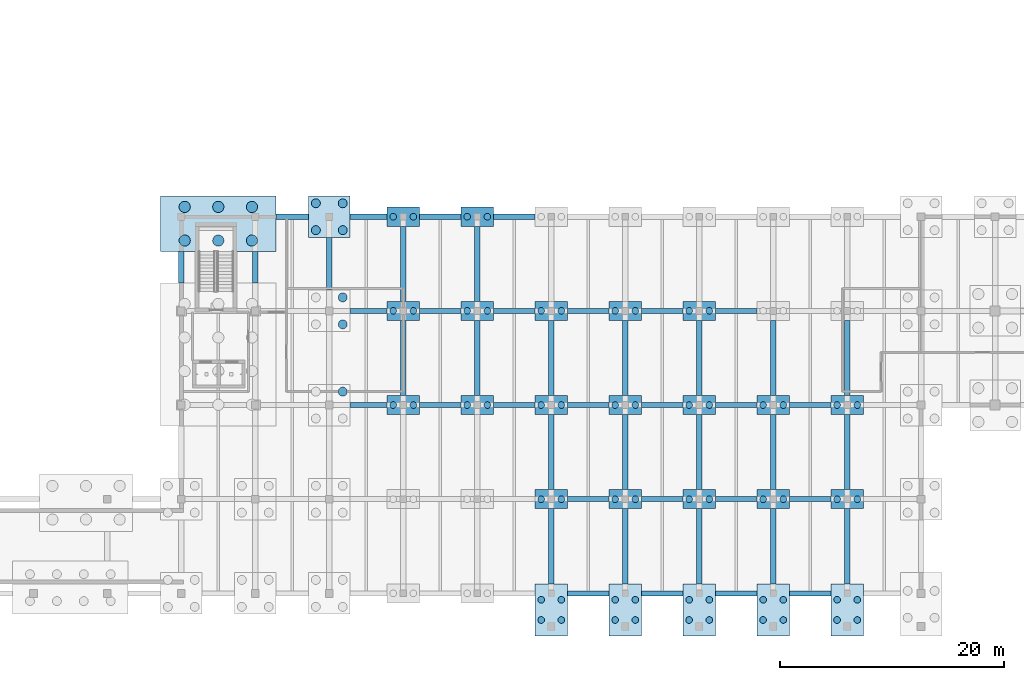
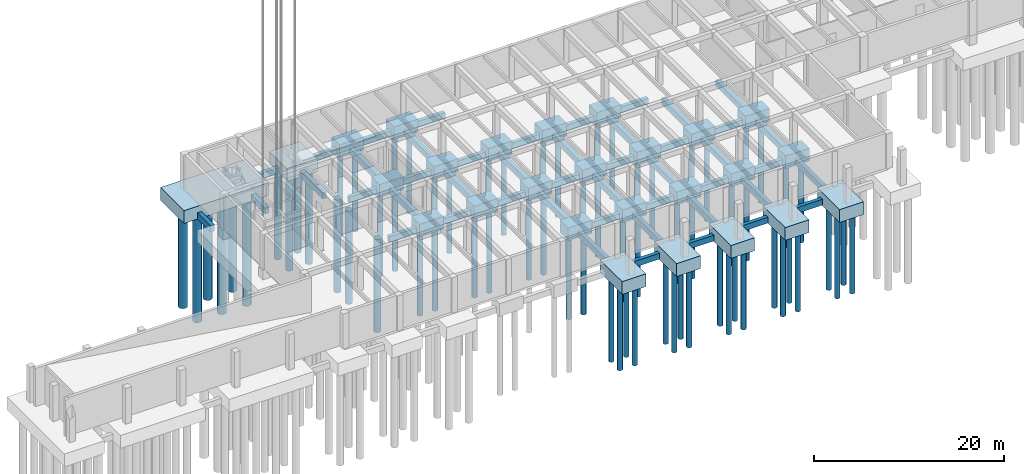
# One storey, part 2 of 44: 73 footings, 71 piles.
"""IFC4 building model written with IfcOpenShell, lengths in metres."""

from ifc_helpers import new_model, si_unit, direction, frame, origin, origin_2d, place, context, subcontext, project, spatial, rectangle, circle, extrude, material, material_profile, profile_set, type_object, element, save


model = new_model("IFC4")

# Units and contexts
model_context = context("Model", 3, precision=1e-05, world=origin(), true_north=direction((0.0, 1.0)))
body_context = subcontext(model_context, "Body", "Model", "MODEL_VIEW")
ifc_project = project(units=[si_unit("LENGTHUNIT", "METRE"), si_unit("AREAUNIT", "SQUARE_METRE"), si_unit("VOLUMEUNIT", "CUBIC_METRE"), si_unit("PLANEANGLEUNIT", "RADIAN"), si_unit("MASSUNIT", "GRAM", prefix="KILO")], contexts=[model_context])

# Site, building, storey
site_placement = place(None, origin())
site = spatial("IfcSite", under=ifc_project, at=site_placement, CompositionType="ELEMENT")
building_placement = place(site_placement, origin())
building = spatial("IfcBuilding", under=site, at=building_placement, Name="Kolvaren Faculty of Natural Sciences", CompositionType="ELEMENT")
storey_placement = place(building_placement, frame((0.0, 0.0, -4.5)))
storey = spatial("IfcBuildingStorey", under=building, at=storey_placement, Name="B01", CompositionType="ELEMENT", Elevation=-4.5)

# Piles
ifc_material = material(Name="Concrete C35/45", Category="concrete")
ifc_material_profile_1 = material_profile(ifc_material, circle(Radius=0.5, at=origin_2d()), Name="PILE D1000")
ifc_profile_set_1 = profile_set([ifc_material_profile_1], Name="Concrete C35/45")
pile_type_1 = type_object("IfcPileType", Name="BoredPile_1000", PredefinedType="BORED", material=ifc_profile_set_1)
for number, where, z_axis, x_axis, name in (
    (1, (33.5, 40.074951171875, -1.949951171875), (0.0, 0.0, -1.0), (1.0, 0.0, 0.0), "Rock-socketed bored pile BP-1000 under CAP-009"),
    (2, (33.5, 43.074951171875, -1.949951171875), (0.0, 0.0, -1.0), (1.0, 0.0, 0.0), "Rock-socketed bored pile BP-1000 under CAP-009"),
    (3, (36.5, 40.074951171875, -1.949951171875), (0.0, 0.0, -1.0), (1.0, 0.0, 0.0), "Rock-socketed bored pile BP-1000 under CAP-009"),
    (4, (36.5, 43.074951171875, -1.949951171875), (0.0, 0.0, -1.0), (1.0, 0.0, 0.0), "Rock-socketed bored pile BP-1000 under CAP-009"),
    (5, (39.5, 40.074951171875, -1.949951171875), (0.0, 0.0, -1.0), (1.0, 0.0, 0.0), "Rock-socketed bored pile BP-1000 under CAP-009"),
    (6, (39.5, 43.074951171875, -1.949951171875), (0.0, 0.0, -1.0), (1.0, 0.0, 0.0), "Rock-socketed bored pile BP-1000 under CAP-009"),
):
    element("IfcPile", number, at=place(storey_placement, frame(where, z_axis=z_axis, x_axis=x_axis)), inside=storey, type_object=pile_type_1, Name=name, PredefinedType="BORED", context=body_context, shape_type="SweptSolid", body=[
        extrude(circle(Radius=0.5, at=origin_2d()), origin(), (0.0, 0.0, 1.0), 13.85009765625),
    ])
ifc_material_profile_2 = material_profile(ifc_material, circle(Radius=0.300048828125, at=origin_2d()), Name="PILE D600")
ifc_profile_set_2 = profile_set([ifc_material_profile_2], Name="Concrete C35/45")
pile_type_2 = type_object("IfcPileType", Name="BoredPile_600", PredefinedType="BORED", material=ifc_profile_set_2)
for number, where, z_axis, x_axis, name in (
    (7, (52.10009765625, 25.39990234375, -1.949951171875), (0.0, 0.0, -1.0), (1.0, 0.0, 0.0), "Rock-socketed bored pile BP-600 under CAP-019"),
    (8, (53.89990234375, 25.39990234375, -1.949951171875), (0.0, 0.0, -1.0), (1.0, 0.0, 0.0), "Rock-socketed bored pile BP-600 under CAP-019"),
    (9, (52.10009765625, 33.800048828125, -1.949951171875), (0.0, 0.0, -1.0), (1.0, 0.0, 0.0), "Rock-socketed bored pile BP-600 under CAP-020"),
    (10, (53.89990234375, 33.800048828125, -1.949951171875), (0.0, 0.0, -1.0), (1.0, 0.0, 0.0), "Rock-socketed bored pile BP-600 under CAP-020"),
    (11, (52.10009765625, 42.199951171875, -1.949951171875), (0.0, 0.0, -1.0), (1.0, 0.0, 0.0), "Rock-socketed bored pile BP-600 under CAP-021"),
    (12, (53.89990234375, 42.199951171875, -1.949951171875), (0.0, 0.0, -1.0), (1.0, 0.0, 0.0), "Rock-socketed bored pile BP-600 under CAP-021"),
    (13, (58.699951171875, 25.39990234375, -1.949951171875), (0.0, 0.0, -1.0), (1.0, 0.0, 0.0), "Rock-socketed bored pile BP-600 under CAP-024"),
    (14, (60.5, 25.39990234375, -1.949951171875), (0.0, 0.0, -1.0), (1.0, 0.0, 0.0), "Rock-socketed bored pile BP-600 under CAP-024"),
    (15, (58.699951171875, 33.800048828125, -1.949951171875), (0.0, 0.0, -1.0), (1.0, 0.0, 0.0), "Rock-socketed bored pile BP-600 under CAP-025"),
    (16, (60.5, 33.800048828125, -1.949951171875), (0.0, 0.0, -1.0), (1.0, 0.0, 0.0), "Rock-socketed bored pile BP-600 under CAP-025"),
    (17, (58.699951171875, 42.199951171875, -1.949951171875), (0.0, 0.0, -1.0), (1.0, 0.0, 0.0), "Rock-socketed bored pile BP-600 under CAP-026"),
    (18, (60.5, 42.199951171875, -1.949951171875), (0.0, 0.0, -1.0), (1.0, 0.0, 0.0), "Rock-socketed bored pile BP-600 under CAP-026"),
    (19, (65.300048828125, 6.22509765625, -1.949951171875), (0.0, 0.0, -1.0), (1.0, 0.0, 0.0), "Rock-socketed bored pile BP-600 under CAP-027"),
    (20, (65.300048828125, 8.02490234375, -1.949951171875), (0.0, 0.0, -1.0), (1.0, 0.0, 0.0), "Rock-socketed bored pile BP-600 under CAP-027"),
    (21, (67.10009765625, 6.22509765625, -1.949951171875), (0.0, 0.0, -1.0), (1.0, 0.0, 0.0), "Rock-socketed bored pile BP-600 under CAP-027"),
    (22, (67.10009765625, 8.02490234375, -1.949951171875), (0.0, 0.0, -1.0), (1.0, 0.0, 0.0), "Rock-socketed bored pile BP-600 under CAP-027"),
    (23, (65.300048828125, 17.0, -1.949951171875), (0.0, 0.0, -1.0), (1.0, 0.0, 0.0), "Rock-socketed bored pile BP-600 under CAP-028"),
    (24, (67.10009765625, 17.0, -1.949951171875), (0.0, 0.0, -1.0), (1.0, 0.0, 0.0), "Rock-socketed bored pile BP-600 under CAP-028"),
    (25, (65.300048828125, 25.39990234375, -1.949951171875), (0.0, 0.0, -1.0), (1.0, 0.0, 0.0), "Rock-socketed bored pile BP-600 under CAP-029"),
    (26, (67.10009765625, 25.39990234375, -1.949951171875), (0.0, 0.0, -1.0), (1.0, 0.0, 0.0), "Rock-socketed bored pile BP-600 under CAP-029"),
    (27, (65.300048828125, 33.800048828125, -1.949951171875), (0.0, 0.0, -1.0), (1.0, 0.0, 0.0), "Rock-socketed bored pile BP-600 under CAP-030"),
    (28, (67.10009765625, 33.800048828125, -1.949951171875), (0.0, 0.0, -1.0), (1.0, 0.0, 0.0), "Rock-socketed bored pile BP-600 under CAP-030"),
    (29, (71.89990234375, 6.22509765625, -1.949951171875), (0.0, 0.0, -1.0), (1.0, 0.0, 0.0), "Rock-socketed bored pile BP-600 under CAP-032"),
    (30, (71.89990234375, 8.02490234375, -1.949951171875), (0.0, 0.0, -1.0), (1.0, 0.0, 0.0), "Rock-socketed bored pile BP-600 under CAP-032"),
    (31, (73.699951171875, 6.22509765625, -1.949951171875), (0.0, 0.0, -1.0), (1.0, 0.0, 0.0), "Rock-socketed bored pile BP-600 under CAP-032"),
    (32, (73.699951171875, 8.02490234375, -1.949951171875), (0.0, 0.0, -1.0), (1.0, 0.0, 0.0), "Rock-socketed bored pile BP-600 under CAP-032"),
    (33, (71.89990234375, 17.0, -1.949951171875), (0.0, 0.0, -1.0), (1.0, 0.0, 0.0), "Rock-socketed bored pile BP-600 under CAP-033"),
    (34, (73.699951171875, 17.0, -1.949951171875), (0.0, 0.0, -1.0), (1.0, 0.0, 0.0), "Rock-socketed bored pile BP-600 under CAP-033"),
    (35, (71.89990234375, 25.39990234375, -1.949951171875), (0.0, 0.0, -1.0), (1.0, 0.0, 0.0), "Rock-socketed bored pile BP-600 under CAP-034"),
    (36, (73.699951171875, 25.39990234375, -1.949951171875), (0.0, 0.0, -1.0), (1.0, 0.0, 0.0), "Rock-socketed bored pile BP-600 under CAP-034"),
    (37, (71.89990234375, 33.800048828125, -1.949951171875), (0.0, 0.0, -1.0), (1.0, 0.0, 0.0), "Rock-socketed bored pile BP-600 under CAP-035"),
    (38, (73.699951171875, 33.800048828125, -1.949951171875), (0.0, 0.0, -1.0), (1.0, 0.0, 0.0), "Rock-socketed bored pile BP-600 under CAP-035"),
    (39, (78.5, 6.22509765625, -1.949951171875), (0.0, 0.0, -1.0), (1.0, 0.0, 0.0), "Rock-socketed bored pile BP-600 under CAP-037"),
    (40, (78.5, 8.02490234375, -1.949951171875), (0.0, 0.0, -1.0), (1.0, 0.0, 0.0), "Rock-socketed bored pile BP-600 under CAP-037"),
    (41, (80.300048828125, 6.22509765625, -1.949951171875), (0.0, 0.0, -1.0), (1.0, 0.0, 0.0), "Rock-socketed bored pile BP-600 under CAP-037"),
    (42, (80.300048828125, 8.02490234375, -1.949951171875), (0.0, 0.0, -1.0), (1.0, 0.0, 0.0), "Rock-socketed bored pile BP-600 under CAP-037"),
    (43, (78.5, 17.0, -1.949951171875), (0.0, 0.0, -1.0), (1.0, 0.0, 0.0), "Rock-socketed bored pile BP-600 under CAP-038"),
    (44, (80.300048828125, 17.0, -1.949951171875), (0.0, 0.0, -1.0), (1.0, 0.0, 0.0), "Rock-socketed bored pile BP-600 under CAP-038"),
    (45, (78.5, 25.39990234375, -1.949951171875), (0.0, 0.0, -1.0), (1.0, 0.0, 0.0), "Rock-socketed bored pile BP-600 under CAP-039"),
    (46, (80.300048828125, 25.39990234375, -1.949951171875), (0.0, 0.0, -1.0), (1.0, 0.0, 0.0), "Rock-socketed bored pile BP-600 under CAP-039"),
    (47, (78.5, 33.800048828125, -1.949951171875), (0.0, 0.0, -1.0), (1.0, 0.0, 0.0), "Rock-socketed bored pile BP-600 under CAP-040"),
    (48, (80.300048828125, 33.800048828125, -1.949951171875), (0.0, 0.0, -1.0), (1.0, 0.0, 0.0), "Rock-socketed bored pile BP-600 under CAP-040"),
    (49, (85.10009765625, 6.22509765625, -1.949951171875), (0.0, 0.0, -1.0), (1.0, 0.0, 0.0), "Rock-socketed bored pile BP-600 under CAP-042"),
    (50, (85.10009765625, 8.02490234375, -1.949951171875), (0.0, 0.0, -1.0), (1.0, 0.0, 0.0), "Rock-socketed bored pile BP-600 under CAP-042"),
    (51, (86.89990234375, 6.22509765625, -1.949951171875), (0.0, 0.0, -1.0), (1.0, 0.0, 0.0), "Rock-socketed bored pile BP-600 under CAP-042"),
    (52, (86.89990234375, 8.02490234375, -1.949951171875), (0.0, 0.0, -1.0), (1.0, 0.0, 0.0), "Rock-socketed bored pile BP-600 under CAP-042"),
    (53, (85.10009765625, 17.0, -1.949951171875), (0.0, 0.0, -1.0), (1.0, 0.0, 0.0), "Rock-socketed bored pile BP-600 under CAP-043"),
    (54, (86.89990234375, 17.0, -1.949951171875), (0.0, 0.0, -1.0), (1.0, 0.0, 0.0), "Rock-socketed bored pile BP-600 under CAP-043"),
    (55, (85.10009765625, 25.39990234375, -1.949951171875), (0.0, 0.0, -1.0), (1.0, 0.0, 0.0), "Rock-socketed bored pile BP-600 under CAP-044"),
    (56, (86.89990234375, 25.39990234375, -1.949951171875), (0.0, 0.0, -1.0), (1.0, 0.0, 0.0), "Rock-socketed bored pile BP-600 under CAP-044"),
    (57, (91.699951171875, 6.22509765625, -1.949951171875), (0.0, 0.0, -1.0), (1.0, 0.0, 0.0), "Rock-socketed bored pile BP-600 under CAP-047"),
    (58, (91.699951171875, 8.02490234375, -1.949951171875), (0.0, 0.0, -1.0), (1.0, 0.0, 0.0), "Rock-socketed bored pile BP-600 under CAP-047"),
    (59, (93.5, 6.22509765625, -1.949951171875), (0.0, 0.0, -1.0), (1.0, 0.0, 0.0), "Rock-socketed bored pile BP-600 under CAP-047"),
    (60, (93.5, 8.02490234375, -1.949951171875), (0.0, 0.0, -1.0), (1.0, 0.0, 0.0), "Rock-socketed bored pile BP-600 under CAP-047"),
    (61, (91.699951171875, 17.0, -1.949951171875), (0.0, 0.0, -1.0), (1.0, 0.0, 0.0), "Rock-socketed bored pile BP-600 under CAP-048"),
    (62, (93.5, 17.0, -1.949951171875), (0.0, 0.0, -1.0), (1.0, 0.0, 0.0), "Rock-socketed bored pile BP-600 under CAP-048"),
    (63, (91.699951171875, 25.39990234375, -1.949951171875), (0.0, 0.0, -1.0), (1.0, 0.0, 0.0), "Rock-socketed bored pile BP-600 under CAP-049"),
    (64, (93.5, 25.39990234375, -1.949951171875), (0.0, 0.0, -1.0), (1.0, 0.0, 0.0), "Rock-socketed bored pile BP-600 under CAP-049"),
):
    element("IfcPile", number, at=place(storey_placement, frame(where, z_axis=z_axis, x_axis=x_axis)), inside=storey, type_object=pile_type_2, Name=name, PredefinedType="BORED", context=body_context, shape_type="SweptSolid", body=[
        extrude(circle(Radius=0.300048828125, at=origin_2d()), origin(), (0.0, 0.0, 1.0), 10.75),
    ])
ifc_material_profile_3 = material_profile(ifc_material, circle(Radius=0.39990234375, at=origin_2d()), Name="PILE D800")
ifc_profile_set_3 = profile_set([ifc_material_profile_3], Name="Concrete C35/45")
pile_type_3 = type_object("IfcPileType", Name="BoredPile_800", PredefinedType="BORED", material=ifc_profile_set_3)
for number, where, z_axis, x_axis, name in (
    (65, (47.60009765625, 26.60009765625, -1.949951171875), (0.0, 0.0, -1.0), (1.0, 0.0, 0.0), "Rock-socketed bored pile BP-800 under CAP-014"),
    (66, (47.60009765625, 32.60009765625, -1.949951171875), (0.0, 0.0, -1.0), (1.0, 0.0, 0.0), "Rock-socketed bored pile BP-800 under CAP-015"),
    (67, (47.60009765625, 35.0, -1.949951171875), (0.0, 0.0, -1.0), (1.0, 0.0, 0.0), "Rock-socketed bored pile BP-800 under CAP-015"),
    (68, (45.199951171875, 41.0, -1.949951171875), (0.0, 0.0, -1.0), (1.0, 0.0, 0.0), "Rock-socketed bored pile BP-800 under CAP-016"),
    (69, (45.199951171875, 43.39990234375, -1.949951171875), (0.0, 0.0, -1.0), (1.0, 0.0, 0.0), "Rock-socketed bored pile BP-800 under CAP-016"),
    (70, (47.60009765625, 41.0, -1.949951171875), (0.0, 0.0, -1.0), (1.0, 0.0, 0.0), "Rock-socketed bored pile BP-800 under CAP-016"),
    (71, (47.60009765625, 43.39990234375, -1.949951171875), (0.0, 0.0, -1.0), (1.0, 0.0, 0.0), "Rock-socketed bored pile BP-800 under CAP-016"),
):
    element("IfcPile", number, at=place(storey_placement, frame(where, z_axis=z_axis, x_axis=x_axis)), inside=storey, type_object=pile_type_3, Name=name, PredefinedType="BORED", context=body_context, shape_type="SweptSolid", body=[
        extrude(circle(Radius=0.39990234375, at=origin_2d()), origin(), (0.0, 0.0, 1.0), 11.949951171875),
    ])

# Footings
ifc_material_profile_4 = material_profile(ifc_material, rectangle(XDim=0.449951171875, YDim=0.75, at=origin_2d()), Name="RC FB 450x750")
ifc_profile_set_4 = profile_set([ifc_material_profile_4], Name="Concrete C35/45")
footing_type_1 = type_object("IfcFootingType", Name="FootingTieBeam_450x750", PredefinedType="FOOTING_BEAM", material=ifc_profile_set_4)
footing_1_placement = place(storey_placement, frame((67.64990234375, 8.60009765625, -1.60009765625), z_axis=(1.0, 0.0, 0.0), x_axis=(0.0, 1.0, 0.0)))
element("IfcFooting", 72, at=footing_1_placement, inside=storey, type_object=footing_type_1, Name="B01 orthogonal foundation tie beam FB-02", PredefinedType="FOOTING_BEAM", context=body_context, shape_type="SweptSolid", body=[
    extrude(rectangle(XDim=0.449951171875, YDim=0.75, at=origin_2d()), origin(), (0.0, 0.0, 1.0), 3.7001953125),
])
for number, where, z_axis, x_axis, name in (
    (73, (74.25, 8.60009765625, -1.60009765625), (1.0, 0.0, 0.0), (0.0, 1.0, 0.0), "B01 orthogonal foundation tie beam FB-02"),
    (74, (80.85009765625, 8.60009765625, -1.60009765625), (1.0, 0.0, 0.0), (0.0, 1.0, 0.0), "B01 orthogonal foundation tie beam FB-02"),
    (75, (87.449951171875, 8.60009765625, -1.60009765625), (1.0, 0.0, 0.0), (0.0, 1.0, 0.0), "B01 orthogonal foundation tie beam FB-02"),
):
    element("IfcFooting", number, at=place(storey_placement, frame(where, z_axis=z_axis, x_axis=x_axis)), inside=storey, type_object=footing_type_1, Name=name, PredefinedType="FOOTING_BEAM", context=body_context, shape_type="SweptSolid", body=[
        extrude(rectangle(XDim=0.449951171875, YDim=0.75, at=origin_2d()), origin(), (0.0, 0.0, 1.0), 3.699951171875),
    ])
footing_2_placement = place(storey_placement, frame((67.64990234375, 17.0, -1.60009765625), z_axis=(1.0, 0.0, 0.0), x_axis=(0.0, 1.0, 0.0)))
element("IfcFooting", 76, at=footing_2_placement, inside=storey, type_object=footing_type_1, Name="B01 orthogonal foundation tie beam FB-02", PredefinedType="FOOTING_BEAM", context=body_context, shape_type="SweptSolid", body=[
    extrude(rectangle(XDim=0.449951171875, YDim=0.75, at=origin_2d()), origin(), (0.0, 0.0, 1.0), 3.7001953125),
])
for number, where, z_axis, x_axis, name in (
    (77, (74.25, 17.0, -1.60009765625), (1.0, 0.0, 0.0), (0.0, 1.0, 0.0), "B01 orthogonal foundation tie beam FB-02"),
    (78, (80.85009765625, 17.0, -1.60009765625), (1.0, 0.0, 0.0), (0.0, 1.0, 0.0), "B01 orthogonal foundation tie beam FB-02"),
    (79, (87.449951171875, 17.0, -1.60009765625), (1.0, 0.0, 0.0), (0.0, 1.0, 0.0), "B01 orthogonal foundation tie beam FB-02"),
):
    element("IfcFooting", number, at=place(storey_placement, frame(where, z_axis=z_axis, x_axis=x_axis)), inside=storey, type_object=footing_type_1, Name=name, PredefinedType="FOOTING_BEAM", context=body_context, shape_type="SweptSolid", body=[
        extrude(rectangle(XDim=0.449951171875, YDim=0.75, at=origin_2d()), origin(), (0.0, 0.0, 1.0), 3.699951171875),
    ])
footing_3_placement = place(storey_placement, frame((48.25, 25.39990234375, -1.60009765625), z_axis=(1.0, 0.0, 0.0), x_axis=(0.0, 1.0, 0.0)))
element("IfcFooting", 80, at=footing_3_placement, inside=storey, type_object=footing_type_1, Name="B01 orthogonal foundation tie beam FB-02", PredefinedType="FOOTING_BEAM", context=body_context, shape_type="SweptSolid", body=[
    extrude(rectangle(XDim=0.449951171875, YDim=0.75, at=origin_2d()), origin(), (0.0, 0.0, 1.0), 3.300048828125),
])
for number, where, z_axis, x_axis, name in (
    (81, (54.449951171875, 25.39990234375, -1.60009765625), (1.0, 0.0, 0.0), (0.0, 1.0, 0.0), "B01 orthogonal foundation tie beam FB-02"),
    (82, (61.050048828125, 25.39990234375, -1.60009765625), (1.0, 0.0, 0.0), (0.0, 1.0, 0.0), "B01 orthogonal foundation tie beam FB-02"),
):
    element("IfcFooting", number, at=place(storey_placement, frame(where, z_axis=z_axis, x_axis=x_axis)), inside=storey, type_object=footing_type_1, Name=name, PredefinedType="FOOTING_BEAM", context=body_context, shape_type="SweptSolid", body=[
        extrude(rectangle(XDim=0.449951171875, YDim=0.75, at=origin_2d()), origin(), (0.0, 0.0, 1.0), 3.699951171875),
    ])
footing_4_placement = place(storey_placement, frame((67.64990234375, 25.39990234375, -1.60009765625), z_axis=(1.0, 0.0, 0.0), x_axis=(0.0, 1.0, 0.0)))
element("IfcFooting", 83, at=footing_4_placement, inside=storey, type_object=footing_type_1, Name="B01 orthogonal foundation tie beam FB-02", PredefinedType="FOOTING_BEAM", context=body_context, shape_type="SweptSolid", body=[
    extrude(rectangle(XDim=0.449951171875, YDim=0.75, at=origin_2d()), origin(), (0.0, 0.0, 1.0), 3.7001953125),
])
for number, where, z_axis, x_axis, name in (
    (84, (74.25, 25.39990234375, -1.60009765625), (1.0, 0.0, 0.0), (0.0, 1.0, 0.0), "B01 orthogonal foundation tie beam FB-02"),
    (85, (80.85009765625, 25.39990234375, -1.60009765625), (1.0, 0.0, 0.0), (0.0, 1.0, 0.0), "B01 orthogonal foundation tie beam FB-02"),
    (86, (87.449951171875, 25.39990234375, -1.60009765625), (1.0, 0.0, 0.0), (0.0, 1.0, 0.0), "B01 orthogonal foundation tie beam FB-02"),
):
    element("IfcFooting", number, at=place(storey_placement, frame(where, z_axis=z_axis, x_axis=x_axis)), inside=storey, type_object=footing_type_1, Name=name, PredefinedType="FOOTING_BEAM", context=body_context, shape_type="SweptSolid", body=[
        extrude(rectangle(XDim=0.449951171875, YDim=0.75, at=origin_2d()), origin(), (0.0, 0.0, 1.0), 3.699951171875),
    ])
footing_5_placement = place(storey_placement, frame((48.25, 33.800048828125, -1.60009765625), z_axis=(1.0, 0.0, 0.0), x_axis=(0.0, 1.0, 0.0)))
element("IfcFooting", 87, at=footing_5_placement, inside=storey, type_object=footing_type_1, Name="B01 orthogonal foundation tie beam FB-02", PredefinedType="FOOTING_BEAM", context=body_context, shape_type="SweptSolid", body=[
    extrude(rectangle(XDim=0.449951171875, YDim=0.75, at=origin_2d()), origin(), (0.0, 0.0, 1.0), 3.300048828125),
])
for number, where, z_axis, x_axis, name in (
    (88, (54.449951171875, 33.800048828125, -1.60009765625), (1.0, 0.0, 0.0), (0.0, 1.0, 0.0), "B01 orthogonal foundation tie beam FB-02"),
    (89, (61.050048828125, 33.800048828125, -1.60009765625), (1.0, 0.0, 0.0), (0.0, 1.0, 0.0), "B01 orthogonal foundation tie beam FB-02"),
):
    element("IfcFooting", number, at=place(storey_placement, frame(where, z_axis=z_axis, x_axis=x_axis)), inside=storey, type_object=footing_type_1, Name=name, PredefinedType="FOOTING_BEAM", context=body_context, shape_type="SweptSolid", body=[
        extrude(rectangle(XDim=0.449951171875, YDim=0.75, at=origin_2d()), origin(), (0.0, 0.0, 1.0), 3.699951171875),
    ])
footing_6_placement = place(storey_placement, frame((67.64990234375, 33.800048828125, -1.60009765625), z_axis=(1.0, 0.0, 0.0), x_axis=(0.0, 1.0, 0.0)))
element("IfcFooting", 90, at=footing_6_placement, inside=storey, type_object=footing_type_1, Name="B01 orthogonal foundation tie beam FB-02", PredefinedType="FOOTING_BEAM", context=body_context, shape_type="SweptSolid", body=[
    extrude(rectangle(XDim=0.449951171875, YDim=0.75, at=origin_2d()), origin(), (0.0, 0.0, 1.0), 3.7001953125),
])
for number, where, z_axis, x_axis, name in (
    (91, (74.25, 33.800048828125, -1.60009765625), (1.0, 0.0, 0.0), (0.0, 1.0, 0.0), "B01 orthogonal foundation tie beam FB-02"),
    (92, (80.85009765625, 33.800048828125, -1.60009765625), (1.0, 0.0, 0.0), (0.0, 1.0, 0.0), "B01 orthogonal foundation tie beam FB-02"),
):
    element("IfcFooting", number, at=place(storey_placement, frame(where, z_axis=z_axis, x_axis=x_axis)), inside=storey, type_object=footing_type_1, Name=name, PredefinedType="FOOTING_BEAM", context=body_context, shape_type="SweptSolid", body=[
        extrude(rectangle(XDim=0.449951171875, YDim=0.75, at=origin_2d()), origin(), (0.0, 0.0, 1.0), 3.699951171875),
    ])
footing_7_placement = place(storey_placement, frame((41.64990234375, 42.199951171875, -1.60009765625), z_axis=(1.0, 0.0, 0.0), x_axis=(0.0, 1.0, 0.0)))
element("IfcFooting", 93, at=footing_7_placement, inside=storey, type_object=footing_type_1, Name="B01 orthogonal foundation tie beam FB-02", PredefinedType="FOOTING_BEAM", context=body_context, shape_type="SweptSolid", body=[
    extrude(rectangle(XDim=0.449951171875, YDim=0.75, at=origin_2d()), origin(), (0.0, 0.0, 1.0), 2.900146484375),
])
footing_8_placement = place(storey_placement, frame((48.25, 42.199951171875, -1.60009765625), z_axis=(1.0, 0.0, 0.0), x_axis=(0.0, 1.0, 0.0)))
element("IfcFooting", 94, at=footing_8_placement, inside=storey, type_object=footing_type_1, Name="B01 orthogonal foundation tie beam FB-02", PredefinedType="FOOTING_BEAM", context=body_context, shape_type="SweptSolid", body=[
    extrude(rectangle(XDim=0.449951171875, YDim=0.75, at=origin_2d()), origin(), (0.0, 0.0, 1.0), 3.300048828125),
])
for number, where, z_axis, x_axis, name in (
    (95, (54.449951171875, 42.199951171875, -1.60009765625), (1.0, 0.0, 0.0), (0.0, 1.0, 0.0), "B01 orthogonal foundation tie beam FB-02"),
    (96, (61.050048828125, 42.199951171875, -1.60009765625), (1.0, 0.0, 0.0), (0.0, 1.0, 0.0), "B01 orthogonal foundation tie beam FB-02"),
):
    element("IfcFooting", number, at=place(storey_placement, frame(where, z_axis=z_axis, x_axis=x_axis)), inside=storey, type_object=footing_type_1, Name=name, PredefinedType="FOOTING_BEAM", context=body_context, shape_type="SweptSolid", body=[
        extrude(rectangle(XDim=0.449951171875, YDim=0.75, at=origin_2d()), origin(), (0.0, 0.0, 1.0), 3.699951171875),
    ])
ifc_material_profile_5 = material_profile(ifc_material, rectangle(XDim=0.5, YDim=0.800048828125, at=origin_2d()), Name="RC FB 500x800")
ifc_profile_set_5 = profile_set([ifc_material_profile_5], Name="Concrete C35/45")
footing_type_2 = type_object("IfcFootingType", Name="FootingTieBeam_500x800", PredefinedType="FOOTING_BEAM", material=ifc_profile_set_5)
for number, where, z_axis, x_axis, name in (
    (97, (33.199951171875, 36.300048828125, -1.6201171875), (0.0, 1.0, 0.0), (-1.0, 0.0, 0.0), "B01 orthogonal foundation tie beam FB-03"),
    (98, (39.800048828125, 36.300048828125, -1.6201171875), (0.0, 1.0, 0.0), (-1.0, 0.0, 0.0), "B01 orthogonal foundation tie beam FB-03"),
):
    element("IfcFooting", number, at=place(storey_placement, frame(where, z_axis=z_axis, x_axis=x_axis)), inside=storey, type_object=footing_type_2, Name=name, PredefinedType="FOOTING_BEAM", context=body_context, shape_type="SweptSolid", body=[
        extrude(rectangle(XDim=0.5, YDim=0.800048828125, at=origin_2d()), origin(), (0.0, 0.0, 1.0), 2.800048828125),
    ])
footing_9_placement = place(storey_placement, frame((46.39990234375, 35.64990234375, -1.6201171875), z_axis=(0.0, 1.0, 0.0), x_axis=(-1.0, 0.0, 0.0)))
element("IfcFooting", 99, at=footing_9_placement, inside=storey, type_object=footing_type_2, Name="B01 orthogonal foundation tie beam FB-03", PredefinedType="FOOTING_BEAM", context=body_context, shape_type="SweptSolid", body=[
    extrude(rectangle(XDim=0.5, YDim=0.800048828125, at=origin_2d()), origin(), (0.0, 0.0, 1.0), 4.7001953125),
])
footing_10_placement = place(storey_placement, frame((53.0, 26.25, -1.6201171875), z_axis=(0.0, 1.0, 0.0), x_axis=(-1.0, 0.0, 0.0)))
element("IfcFooting", 100, at=footing_10_placement, inside=storey, type_object=footing_type_2, Name="B01 orthogonal foundation tie beam FB-03", PredefinedType="FOOTING_BEAM", context=body_context, shape_type="SweptSolid", body=[
    extrude(rectangle(XDim=0.5, YDim=0.800048828125, at=origin_2d()), origin(), (0.0, 0.0, 1.0), 6.699951171875),
])
footing_11_placement = place(storey_placement, frame((53.0, 34.64990234375, -1.6201171875), z_axis=(0.0, 1.0, 0.0), x_axis=(-1.0, 0.0, 0.0)))
element("IfcFooting", 101, at=footing_11_placement, inside=storey, type_object=footing_type_2, Name="B01 orthogonal foundation tie beam FB-03", PredefinedType="FOOTING_BEAM", context=body_context, shape_type="SweptSolid", body=[
    extrude(rectangle(XDim=0.5, YDim=0.800048828125, at=origin_2d()), origin(), (0.0, 0.0, 1.0), 6.7001953125),
])
footing_12_placement = place(storey_placement, frame((59.60009765625, 26.25, -1.6201171875), z_axis=(0.0, 1.0, 0.0), x_axis=(-1.0, 0.0, 0.0)))
element("IfcFooting", 102, at=footing_12_placement, inside=storey, type_object=footing_type_2, Name="B01 orthogonal foundation tie beam FB-03", PredefinedType="FOOTING_BEAM", context=body_context, shape_type="SweptSolid", body=[
    extrude(rectangle(XDim=0.5, YDim=0.800048828125, at=origin_2d()), origin(), (0.0, 0.0, 1.0), 6.699951171875),
])
footing_13_placement = place(storey_placement, frame((59.60009765625, 34.64990234375, -1.6201171875), z_axis=(0.0, 1.0, 0.0), x_axis=(-1.0, 0.0, 0.0)))
element("IfcFooting", 103, at=footing_13_placement, inside=storey, type_object=footing_type_2, Name="B01 orthogonal foundation tie beam FB-03", PredefinedType="FOOTING_BEAM", context=body_context, shape_type="SweptSolid", body=[
    extrude(rectangle(XDim=0.5, YDim=0.800048828125, at=origin_2d()), origin(), (0.0, 0.0, 1.0), 6.7001953125),
])
for number, where, z_axis, x_axis, name in (
    (104, (66.199951171875, 9.449951171875, -1.6201171875), (0.0, 1.0, 0.0), (-1.0, 0.0, 0.0), "B01 orthogonal foundation tie beam FB-03"),
    (105, (66.199951171875, 17.85009765625, -1.6201171875), (0.0, 1.0, 0.0), (-1.0, 0.0, 0.0), "B01 orthogonal foundation tie beam FB-03"),
    (106, (66.199951171875, 26.25, -1.6201171875), (0.0, 1.0, 0.0), (-1.0, 0.0, 0.0), "B01 orthogonal foundation tie beam FB-03"),
    (107, (72.800048828125, 9.449951171875, -1.6201171875), (0.0, 1.0, 0.0), (-1.0, 0.0, 0.0), "B01 orthogonal foundation tie beam FB-03"),
    (108, (72.800048828125, 17.85009765625, -1.6201171875), (0.0, 1.0, 0.0), (-1.0, 0.0, 0.0), "B01 orthogonal foundation tie beam FB-03"),
    (109, (72.800048828125, 26.25, -1.6201171875), (0.0, 1.0, 0.0), (-1.0, 0.0, 0.0), "B01 orthogonal foundation tie beam FB-03"),
    (110, (79.39990234375, 9.449951171875, -1.6201171875), (0.0, 1.0, 0.0), (-1.0, 0.0, 0.0), "B01 orthogonal foundation tie beam FB-03"),
    (111, (79.39990234375, 17.85009765625, -1.6201171875), (0.0, 1.0, 0.0), (-1.0, 0.0, 0.0), "B01 orthogonal foundation tie beam FB-03"),
    (112, (79.39990234375, 26.25, -1.6201171875), (0.0, 1.0, 0.0), (-1.0, 0.0, 0.0), "B01 orthogonal foundation tie beam FB-03"),
    (113, (86.0, 9.449951171875, -1.6201171875), (0.0, 1.0, 0.0), (-1.0, 0.0, 0.0), "B01 orthogonal foundation tie beam FB-03"),
    (114, (86.0, 17.85009765625, -1.6201171875), (0.0, 1.0, 0.0), (-1.0, 0.0, 0.0), "B01 orthogonal foundation tie beam FB-03"),
    (115, (86.0, 26.25, -1.6201171875), (0.0, 1.0, 0.0), (-1.0, 0.0, 0.0), "B01 orthogonal foundation tie beam FB-03"),
    (116, (92.60009765625, 9.449951171875, -1.6201171875), (0.0, 1.0, 0.0), (-1.0, 0.0, 0.0), "B01 orthogonal foundation tie beam FB-03"),
    (117, (92.60009765625, 17.85009765625, -1.6201171875), (0.0, 1.0, 0.0), (-1.0, 0.0, 0.0), "B01 orthogonal foundation tie beam FB-03"),
    (118, (92.60009765625, 26.25, -1.6201171875), (0.0, 1.0, 0.0), (-1.0, 0.0, 0.0), "B01 orthogonal foundation tie beam FB-03"),
):
    element("IfcFooting", number, at=place(storey_placement, frame(where, z_axis=z_axis, x_axis=x_axis)), inside=storey, type_object=footing_type_2, Name=name, PredefinedType="FOOTING_BEAM", context=body_context, shape_type="SweptSolid", body=[
        extrude(rectangle(XDim=0.5, YDim=0.800048828125, at=origin_2d()), origin(), (0.0, 0.0, 1.0), 6.699951171875),
    ])
footing_type_3 = type_object("IfcFootingType", Name="PileCap_10300x4950x1650", PredefinedType="PILE_CAP", material=ifc_material)
footing_14_placement = place(storey_placement, frame((36.5, 41.574951171875, -2.050048828125), z_axis=(0.0, 0.0, 1.0), x_axis=(1.0, 0.0, 0.0)))
element("IfcFooting", 119, at=footing_14_placement, inside=storey, type_object=footing_type_3, Name="B01 reinforced concrete pile cap PC-07 (CAP-009)", PredefinedType="PILE_CAP", context=body_context, shape_type="SweptSolid", body=[
    extrude(rectangle(XDim=10.300048828125, YDim=4.949951171875, at=origin_2d()), origin(), (0.0, 0.0, 1.0), 1.64990234375),
])
footing_type_4 = type_object("IfcFootingType", Name="PileCap_2900x1700x1650", PredefinedType="PILE_CAP", material=ifc_material)
for number, where, z_axis, x_axis, name in (
    (120, (53.0, 25.39990234375, -2.050048828125), (0.0, 0.0, 1.0), (1.0, 0.0, 0.0), "B01 reinforced concrete pile cap PC-08 (CAP-019)"),
    (121, (53.0, 33.800048828125, -2.050048828125), (0.0, 0.0, 1.0), (1.0, 0.0, 0.0), "B01 reinforced concrete pile cap PC-08 (CAP-020)"),
    (122, (53.0, 42.199951171875, -2.050048828125), (0.0, 0.0, 1.0), (1.0, 0.0, 0.0), "B01 reinforced concrete pile cap PC-08 (CAP-021)"),
    (123, (59.60009765625, 25.39990234375, -2.050048828125), (0.0, 0.0, 1.0), (1.0, 0.0, 0.0), "B01 reinforced concrete pile cap PC-08 (CAP-024)"),
    (124, (59.60009765625, 33.800048828125, -2.050048828125), (0.0, 0.0, 1.0), (1.0, 0.0, 0.0), "B01 reinforced concrete pile cap PC-08 (CAP-025)"),
    (125, (59.60009765625, 42.199951171875, -2.050048828125), (0.0, 0.0, 1.0), (1.0, 0.0, 0.0), "B01 reinforced concrete pile cap PC-08 (CAP-026)"),
    (126, (66.199951171875, 17.0, -2.050048828125), (0.0, 0.0, 1.0), (1.0, 0.0, 0.0), "B01 reinforced concrete pile cap PC-08 (CAP-028)"),
    (127, (66.199951171875, 25.39990234375, -2.050048828125), (0.0, 0.0, 1.0), (1.0, 0.0, 0.0), "B01 reinforced concrete pile cap PC-08 (CAP-029)"),
    (128, (66.199951171875, 33.800048828125, -2.050048828125), (0.0, 0.0, 1.0), (1.0, 0.0, 0.0), "B01 reinforced concrete pile cap PC-08 (CAP-030)"),
    (129, (72.800048828125, 17.0, -2.050048828125), (0.0, 0.0, 1.0), (1.0, 0.0, 0.0), "B01 reinforced concrete pile cap PC-08 (CAP-033)"),
    (130, (72.800048828125, 25.39990234375, -2.050048828125), (0.0, 0.0, 1.0), (1.0, 0.0, 0.0), "B01 reinforced concrete pile cap PC-08 (CAP-034)"),
    (131, (72.800048828125, 33.800048828125, -2.050048828125), (0.0, 0.0, 1.0), (1.0, 0.0, 0.0), "B01 reinforced concrete pile cap PC-08 (CAP-035)"),
    (132, (79.39990234375, 17.0, -2.050048828125), (0.0, 0.0, 1.0), (1.0, 0.0, 0.0), "B01 reinforced concrete pile cap PC-08 (CAP-038)"),
    (133, (79.39990234375, 25.39990234375, -2.050048828125), (0.0, 0.0, 1.0), (1.0, 0.0, 0.0), "B01 reinforced concrete pile cap PC-08 (CAP-039)"),
    (134, (79.39990234375, 33.800048828125, -2.050048828125), (0.0, 0.0, 1.0), (1.0, 0.0, 0.0), "B01 reinforced concrete pile cap PC-08 (CAP-040)"),
    (135, (86.0, 17.0, -2.050048828125), (0.0, 0.0, 1.0), (1.0, 0.0, 0.0), "B01 reinforced concrete pile cap PC-08 (CAP-043)"),
    (136, (86.0, 25.39990234375, -2.050048828125), (0.0, 0.0, 1.0), (1.0, 0.0, 0.0), "B01 reinforced concrete pile cap PC-08 (CAP-044)"),
    (137, (92.60009765625, 17.0, -2.050048828125), (0.0, 0.0, 1.0), (1.0, 0.0, 0.0), "B01 reinforced concrete pile cap PC-08 (CAP-048)"),
    (138, (92.60009765625, 25.39990234375, -2.050048828125), (0.0, 0.0, 1.0), (1.0, 0.0, 0.0), "B01 reinforced concrete pile cap PC-08 (CAP-049)"),
):
    element("IfcFooting", number, at=place(storey_placement, frame(where, z_axis=z_axis, x_axis=x_axis)), inside=storey, type_object=footing_type_4, Name=name, PredefinedType="PILE_CAP", context=body_context, shape_type="SweptSolid", body=[
        extrude(rectangle(XDim=2.89990234375, YDim=1.699951171875, at=origin_2d()), origin(), (0.0, 0.0, 1.0), 1.64990234375),
    ])
footing_type_5 = type_object("IfcFootingType", Name="PileCap_2900x4650x1650", PredefinedType="PILE_CAP", material=ifc_material)
for number, where, z_axis, x_axis, name in (
    (139, (66.199951171875, 7.125, -2.050048828125), (0.0, 0.0, 1.0), (1.0, 0.0, 0.0), "B01 reinforced concrete pile cap PC-09 (CAP-027)"),
    (140, (72.800048828125, 7.125, -2.050048828125), (0.0, 0.0, 1.0), (1.0, 0.0, 0.0), "B01 reinforced concrete pile cap PC-09 (CAP-032)"),
    (141, (79.39990234375, 7.125, -2.050048828125), (0.0, 0.0, 1.0), (1.0, 0.0, 0.0), "B01 reinforced concrete pile cap PC-09 (CAP-037)"),
    (142, (86.0, 7.125, -2.050048828125), (0.0, 0.0, 1.0), (1.0, 0.0, 0.0), "B01 reinforced concrete pile cap PC-09 (CAP-042)"),
    (143, (92.60009765625, 7.125, -2.050048828125), (0.0, 0.0, 1.0), (1.0, 0.0, 0.0), "B01 reinforced concrete pile cap PC-09 (CAP-047)"),
):
    element("IfcFooting", number, at=place(storey_placement, frame(where, z_axis=z_axis, x_axis=x_axis)), inside=storey, type_object=footing_type_5, Name=name, PredefinedType="PILE_CAP", context=body_context, shape_type="SweptSolid", body=[
        extrude(rectangle(XDim=2.89990234375, YDim=4.64990234375, at=origin_2d()), origin(), (0.0, 0.0, 1.0), 1.64990234375),
    ])
footing_type_6 = type_object("IfcFootingType", Name="PileCap_3700x3700x1650", PredefinedType="PILE_CAP", material=ifc_material)
footing_15_placement = place(storey_placement, frame((46.39990234375, 42.199951171875, -2.050048828125), z_axis=(0.0, 0.0, 1.0), x_axis=(1.0, 0.0, 0.0)))
element("IfcFooting", 144, at=footing_15_placement, inside=storey, type_object=footing_type_6, Name="B01 reinforced concrete pile cap PC-05 (CAP-016)", PredefinedType="PILE_CAP", context=body_context, shape_type="SweptSolid", body=[
    extrude(rectangle(XDim=3.699951171875, YDim=3.699951171875, at=origin_2d()), origin(), (0.0, 0.0, 1.0), 1.64990234375),
])

save(model, "model.ifc")
